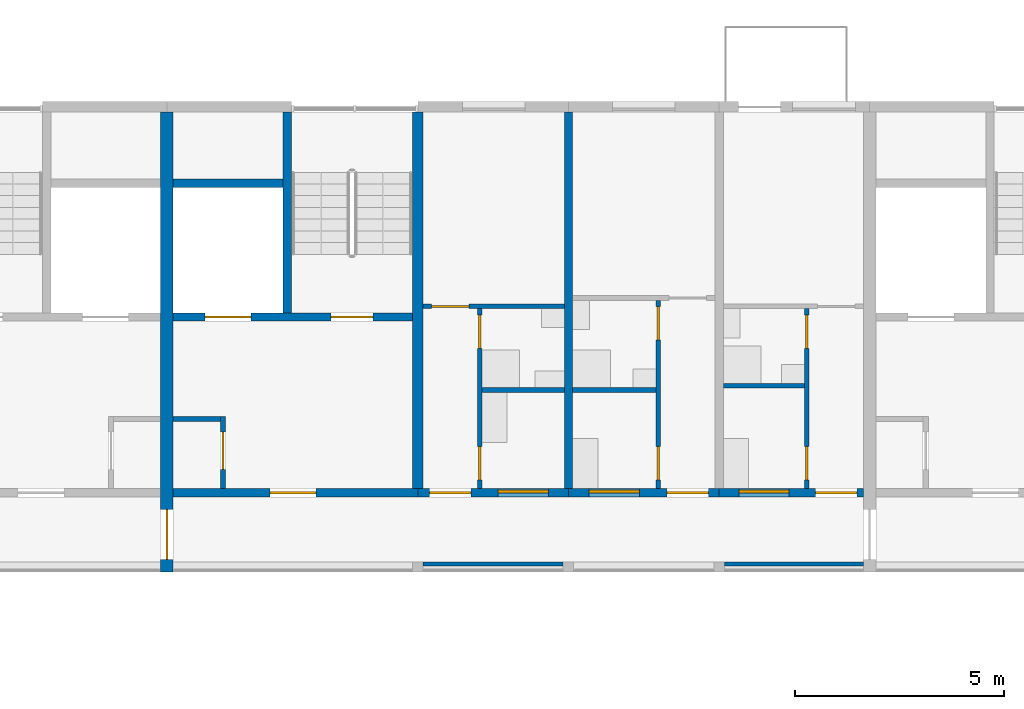
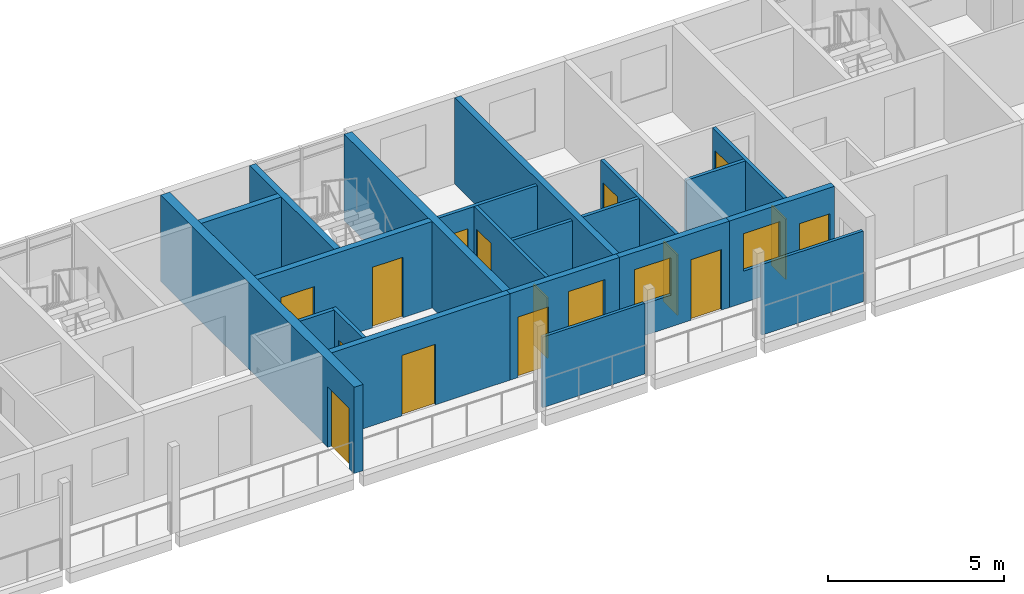
# One storey, part 51 of 93: 21 walls, 15 doors, 3 windows, 18 openings.
"""IFC4 building model written with IfcOpenShell, lengths in metres."""

from ifc_helpers import new_model, si_unit, direction, frame, frame_2d, origin, place, context, subcontext, project, spatial, rectangle, extrude, material, layer, layer_set, type_object, element, fill, save


model = new_model("IFC4")

# Units and contexts
model_context = context("Model", 3, precision=1e-05, world=origin(), true_north=direction((0.0, 1.0)))
body_context = subcontext(model_context, "Body", "Model", "MODEL_VIEW")
ifc_project = project(units=[si_unit("LENGTHUNIT", "METRE"), si_unit("AREAUNIT", "SQUARE_METRE"), si_unit("VOLUMEUNIT", "CUBIC_METRE"), si_unit("PLANEANGLEUNIT", "RADIAN"), si_unit("MASSUNIT", "GRAM", prefix="KILO")], contexts=[model_context])

# Site, building, storey
site_placement = place(None, origin())
site = spatial("IfcSite", under=ifc_project, at=site_placement, CompositionType="ELEMENT")
building_placement = place(site_placement, origin())
building = spatial("IfcBuilding", under=site, at=building_placement, Name="Ridgestep Commons", CompositionType="ELEMENT")
storey_placement = place(building_placement, frame((0.0, 0.0, 18.0)))
storey = spatial("IfcBuildingStorey", under=building, at=storey_placement, Name="L06", CompositionType="ELEMENT", Elevation=18.0)

# Wall
ifc_material_1 = material(Name="Concrete C30/37", Category="concrete")
ifc_layer_1 = layer(ifc_material_1, 0.25)
ifc_layer_set_1 = layer_set([ifc_layer_1], Name="Core cross wall 250")
wall_type_1 = type_object("IfcWallType", Name="Core cross wall 250", PredefinedType="SHEAR", material=ifc_layer_set_1)
wall_1_placement = place(storey_placement, frame((186.39990234375, 68.0, 0.0), z_axis=(0.0, 0.0, 1.0), x_axis=(0.0, 1.0, 0.0)))
element("IfcWall", 1, at=wall_1_placement, inside=storey, type_object=wall_type_1, Name="Cross wall C-06-1864", PredefinedType="SHEAR", context=body_context, shape_type="SweptSolid", body=[
    extrude(rectangle(XDim=9.0, YDim=0.25, at=frame_2d((4.5, 0.0))), origin(), (0.0, 0.0, 1.0), 3.0),
])

# Wall, opening, door
ifc_material_2 = material(Name="Concrete C30/37", Category="concrete")
ifc_layer_2 = layer(ifc_material_2, 0.199951171875)
ifc_layer_set_2 = layer_set([ifc_layer_2], Name="Core south wall 200")
wall_type_2 = type_object("IfcWallType", Name="Core south wall 200", PredefinedType="SHEAR", material=ifc_layer_set_2)
wall_2_placement = place(storey_placement, frame((180.550048828125, 67.89990234375, 0.0), z_axis=(0.0, 0.0, 1.0), x_axis=(1.0, 0.0, 0.0)))
wall_2 = element("IfcWall", 2, at=wall_2_placement, inside=storey, type_object=wall_type_2, Name="Core south wall C3C L06", PredefinedType="SHEAR", context=body_context, shape_type="SweptSolid", body=[
    extrude(rectangle(XDim=5.849853515625, YDim=0.199951171875, at=frame_2d((2.9248046875, 0.0))), origin(), (0.0, 0.0, 1.0), 3.0),
])
opening_1_placement = place(wall_2_placement, frame((2.3125, 0.0, 0.0)))
opening_1 = element("IfcOpeningElement", 3, at=opening_1_placement, cuts=wall_2, Name="Opening C3C/06/1", PredefinedType="OPENING", context=body_context, shape_type="SweptSolid", body=[
    extrude(rectangle(XDim=1.10009765625, YDim=2.10009765625, at=frame_2d((0.550048828125, 1.050048828125))), frame((0.0, 0.10986328125, 0.0), z_axis=(0.0, -1.0, 0.0), x_axis=(1.0, 0.0, 0.0)), (0.0, 0.0, 1.0), 0.219970703125),
])
ifc_material_3 = material(Name="Steel fire door", Category="steel")
door_type_1 = type_object("IfcDoorType", Name="Lobby door 1100 x 2100 FD60", OperationType="NOTDEFINED", PredefinedType="DOOR", material=ifc_material_3)
door_1_placement = place(opening_1_placement, origin())
door_1 = element("IfcDoor", 4, at=door_1_placement, inside=storey, type_object=door_type_1, Name="Lobby door C3C/06/1", OperationType="SINGLE_SWING_LEFT", OverallHeight=2.10009765625, OverallWidth=1.10009765625, PredefinedType="DOOR", context=body_context, shape_type="SweptSolid", body=[
    extrude(rectangle(XDim=1.10009765625, YDim=2.10009765625, at=frame_2d((0.550048828125, 1.050048828125))), frame((0.0, 0.02490234375, 0.0), z_axis=(0.0, -1.0, 0.0), x_axis=(1.0, 0.0, 0.0)), (0.0, 0.0, 1.0), 0.050048828125),
])
fill(opening_1, door_1)

ifc_material_4 = material(Name="Concrete C30/37", Category="concrete")
ifc_layer_3 = layer(ifc_material_4, 0.1201171875)
ifc_layer_set_3 = layer_set([ifc_layer_3], Name="Core wall 120")
wall_type_3 = type_object("IfcWallType", Name="Core wall 120", PredefinedType="SHEAR", material=ifc_layer_set_3)
wall_3_placement = place(storey_placement, frame((181.739990234375, 68.0, 0.0), z_axis=(0.0, 0.0, 1.0), x_axis=(0.0, 1.0, 0.0)))
wall_3 = element("IfcWall", 5, at=wall_3_placement, inside=storey, type_object=wall_type_3, Name="Core riser w wall C3C L06", PredefinedType="SHEAR", context=body_context, shape_type="SweptSolid", body=[
    extrude(rectangle(XDim=1.719970703125, YDim=0.1201171875, at=frame_2d((0.85986328125, 0.0))), origin(), (0.0, 0.0, 1.0), 3.0),
])
opening_2_placement = place(wall_3_placement, frame((0.449951171875, 0.0, 0.0)))
opening_2 = element("IfcOpeningElement", 6, at=opening_2_placement, cuts=wall_3, Name="Opening C3C/06/4", PredefinedType="OPENING", context=body_context, shape_type="SweptSolid", body=[
    extrude(rectangle(XDim=0.89990234375, YDim=2.10009765625, at=frame_2d((0.449951171875, 1.050048828125))), frame((0.0, 0.070068359375, 0.0), z_axis=(0.0, -1.0, 0.0), x_axis=(1.0, 0.0, 0.0)), (0.0, 0.0, 1.0), 0.14013671875),
])
ifc_material_5 = material(Name="Steel fire door", Category="steel")
door_type_2 = type_object("IfcDoorType", Name="Riser door 900 x 2100 FD60", OperationType="NOTDEFINED", PredefinedType="DOOR", material=ifc_material_5)
door_2_placement = place(opening_2_placement, origin())
door_2 = element("IfcDoor", 7, at=door_2_placement, inside=storey, type_object=door_type_2, Name="Riser door C3C/06/4", OperationType="SINGLE_SWING_RIGHT", OverallHeight=2.10009765625, OverallWidth=0.89990234375, PredefinedType="DOOR", context=body_context, shape_type="SweptSolid", body=[
    extrude(rectangle(XDim=0.89990234375, YDim=2.10009765625, at=frame_2d((0.449951171875, 1.050048828125))), frame((0.0, 0.02490234375, 0.0), z_axis=(0.0, -1.0, 0.0), x_axis=(1.0, 0.0, 0.0)), (0.0, 0.0, 1.0), 0.050048828125),
])
fill(opening_2, door_2)

# Wall
wall_4_placement = place(storey_placement, frame((180.550048828125, 69.659912109375, 0.0), z_axis=(0.0, 0.0, 1.0), x_axis=(1.0, 0.0, 0.0)))
element("IfcWall", 8, at=wall_4_placement, inside=storey, type_object=wall_type_3, Name="Core riser n wall C3C L06", PredefinedType="SHEAR", context=body_context, shape_type="SweptSolid", body=[
    extrude(rectangle(XDim=1.1298828125, YDim=0.1201171875, at=frame_2d((0.56494140625, 0.0))), origin(), (0.0, 0.0, 1.0), 3.0),
])

# Wall, openings, doors
ifc_material_6 = material(Name="Concrete C30/37", Category="concrete")
ifc_layer_4 = layer(ifc_material_6, 0.199951171875)
ifc_layer_set_4 = layer_set([ifc_layer_4], Name="Core wall 200")
wall_type_4 = type_object("IfcWallType", Name="Core wall 200", PredefinedType="SHEAR", material=ifc_layer_set_4)
wall_5_placement = place(storey_placement, frame((180.550048828125, 72.10009765625, 0.0), z_axis=(0.0, 0.0, 1.0), x_axis=(1.0, 0.0, 0.0)))
wall_5 = element("IfcWall", 9, at=wall_5_placement, inside=storey, type_object=wall_type_4, Name="Core lobby wall C3C L06", PredefinedType="SHEAR", context=body_context, shape_type="SweptSolid", body=[
    extrude(rectangle(XDim=5.724853515625, YDim=0.199951171875, at=frame_2d((2.8623046875, 0.0))), origin(), (0.0, 0.0, 1.0), 3.0),
])
opening_3_placement = place(wall_5_placement, frame((3.77490234375, 0.0, 0.0)))
opening_3 = element("IfcOpeningElement", 10, at=opening_3_placement, cuts=wall_5, Name="Opening C3C/06/2", PredefinedType="OPENING", context=body_context, shape_type="SweptSolid", body=[
    extrude(rectangle(XDim=1.0, YDim=2.10009765625, at=frame_2d((0.5, 1.050048828125))), frame((0.0, 0.10986328125, 0.0), z_axis=(0.0, -1.0, 0.0), x_axis=(1.0, 0.0, 0.0)), (0.0, 0.0, 1.0), 0.219970703125),
])
opening_4_placement = place(wall_5_placement, frame((0.762451171875, 0.0, 0.0)))
opening_4 = element("IfcOpeningElement", 11, at=opening_4_placement, cuts=wall_5, Name="Opening C3C/06/3", PredefinedType="OPENING", context=body_context, shape_type="SweptSolid", body=[
    extrude(rectangle(XDim=1.10009765625, YDim=2.10009765625, at=frame_2d((0.550048828125, 1.050048828125))), frame((0.0, 0.10986328125, 0.0), z_axis=(0.0, -1.0, 0.0), x_axis=(1.0, 0.0, 0.0)), (0.0, 0.0, 1.0), 0.219970703125),
])
ifc_material_7 = material(Name="Stainless steel", Category="steel")
door_type_3 = type_object("IfcDoorType", Name="Lift landing door 1100 x 2100 FD60", OperationType="DOUBLE_DOOR_SLIDING", PredefinedType="DOOR", material=ifc_material_7)
door_3_placement = place(opening_4_placement, origin())
door_3 = element("IfcDoor", 12, at=door_3_placement, inside=storey, type_object=door_type_3, Name="Landing door LD C3C L06", OperationType="DOUBLE_DOOR_SLIDING", OverallHeight=2.10009765625, OverallWidth=1.10009765625, PredefinedType="DOOR", context=body_context, shape_type="SweptSolid", body=[
    extrude(rectangle(XDim=1.10009765625, YDim=2.10009765625, at=frame_2d((0.550048828125, 1.050048828125))), frame((0.0, 0.02490234375, 0.0), z_axis=(0.0, -1.0, 0.0), x_axis=(1.0, 0.0, 0.0)), (0.0, 0.0, 1.0), 0.050048828125),
])
fill(opening_4, door_3)
ifc_material_8 = material(Name="Steel fire door", Category="steel")
door_type_4 = type_object("IfcDoorType", Name="Stair door 1000 x 2100 FD60", OperationType="NOTDEFINED", PredefinedType="DOOR", material=ifc_material_8)
door_4_placement = place(opening_3_placement, origin())
door_4 = element("IfcDoor", 13, at=door_4_placement, inside=storey, type_object=door_type_4, Name="Stair door C3C/06/2", OperationType="SINGLE_SWING_RIGHT", OverallHeight=2.10009765625, OverallWidth=1.0, PredefinedType="DOOR", context=body_context, shape_type="SweptSolid", body=[
    extrude(rectangle(XDim=1.0, YDim=2.10009765625, at=frame_2d((0.5, 1.050048828125))), frame((0.0, 0.02490234375, 0.0), z_axis=(0.0, -1.0, 0.0), x_axis=(1.0, 0.0, 0.0)), (0.0, 0.0, 1.0), 0.050048828125),
])
fill(opening_3, door_4)

# Walls
wall_6_placement = place(storey_placement, frame((183.27490234375, 72.199951171875, 0.0), z_axis=(0.0, 0.0, 1.0), x_axis=(0.0, 1.0, 0.0)))
element("IfcWall", 14, at=wall_6_placement, inside=storey, type_object=wall_type_4, Name="Core stair wall C3C L06", PredefinedType="SHEAR", context=body_context, shape_type="SweptSolid", body=[
    extrude(rectangle(XDim=4.800048828125, YDim=0.199951171875, at=frame_2d((2.39990234375, 0.0))), origin(), (0.0, 0.0, 1.0), 3.0),
])
wall_7_placement = place(storey_placement, frame((180.550048828125, 75.300048828125, 0.0), z_axis=(0.0, 0.0, 1.0), x_axis=(1.0, 0.0, 0.0)))
element("IfcWall", 15, at=wall_7_placement, inside=storey, type_object=wall_type_4, Name="Core duct wall C3C L06", PredefinedType="SHEAR", context=body_context, shape_type="SweptSolid", body=[
    extrude(rectangle(XDim=2.625, YDim=0.199951171875, at=frame_2d((1.3125, 0.0))), origin(), (0.0, 0.0, 1.0), 3.0),
])
ifc_material_9 = material(Name="Precast concrete C40/50", Category="concrete")
ifc_layer_5 = layer(ifc_material_9, 0.199951171875)
ifc_layer_set_5 = layer_set([ifc_layer_5], Name="Cross wall 200")
wall_type_5 = type_object("IfcWallType", Name="Cross wall 200", PredefinedType="SHEAR", material=ifc_layer_set_5)
wall_8_placement = place(storey_placement, frame((190.0, 68.0, 0.0), z_axis=(0.0, 0.0, 1.0), x_axis=(0.0, 1.0, 0.0)))
element("IfcWall", 16, at=wall_8_placement, inside=storey, type_object=wall_type_5, Name="Cross wall C-06-1900", PredefinedType="SHEAR", context=body_context, shape_type="SweptSolid", body=[
    extrude(rectangle(XDim=9.0, YDim=0.199951171875, at=frame_2d((4.5, 0.0))), origin(), (0.0, 0.0, 1.0), 3.0),
])

# Wall, opening, door
ifc_material_10 = material(Name="Precast concrete C40/50", Category="concrete")
ifc_layer_6 = layer(ifc_material_10, 0.300048828125)
ifc_layer_set_6 = layer_set([ifc_layer_6], Name="Division wall 300")
wall_type_6 = type_object("IfcWallType", Name="Division wall 300", PredefinedType="SHEAR", material=ifc_layer_set_6)
wall_9_placement = place(storey_placement, frame((180.39990234375, 66.0, 0.0), z_axis=(0.0, 0.0, 1.0), x_axis=(0.0, 1.0, 0.0)))
wall_9 = element("IfcWall", 17, at=wall_9_placement, inside=storey, type_object=wall_type_6, Name="Cross wall C-06-1804", PredefinedType="SHEAR", context=body_context, shape_type="SweptSolid", body=[
    extrude(rectangle(XDim=11.0, YDim=0.300048828125, at=frame_2d((5.5, 0.0))), origin(), (0.0, 0.0, 1.0), 3.0),
])
opening_5_placement = place(wall_9_placement, frame((0.300048828125, 0.0, 0.0)))
opening_5 = element("IfcOpeningElement", 18, at=opening_5_placement, cuts=wall_9, Name="Opening C/06/G1804", PredefinedType="OPENING", context=body_context, shape_type="SweptSolid", body=[
    extrude(rectangle(XDim=1.199951171875, YDim=2.10009765625, at=frame_2d((0.60009765625, 1.050048828125))), frame((0.0, 0.159912109375, 0.0), z_axis=(0.0, -1.0, 0.0), x_axis=(1.0, 0.0, 0.0)), (0.0, 0.0, 1.0), 0.320068359375),
])
ifc_material_11 = material(Name="Steel fire door", Category="steel")
door_type_5 = type_object("IfcDoorType", Name="Division fire door 1200 x 2100 EI 240", OperationType="DOUBLE_DOOR_SINGLE_SWING", PredefinedType="DOOR", material=ifc_material_11)
door_5_placement = place(opening_5_placement, origin())
door_5 = element("IfcDoor", 19, at=door_5_placement, inside=storey, type_object=door_type_5, Name="Division fire door C/06/G1804", OperationType="DOUBLE_DOOR_SINGLE_SWING", OverallHeight=2.10009765625, OverallWidth=1.199951171875, PredefinedType="DOOR", context=body_context, shape_type="SweptSolid", body=[
    extrude(rectangle(XDim=1.199951171875, YDim=2.10009765625, at=frame_2d((0.60009765625, 1.050048828125))), frame((0.0, 0.02490234375, 0.0), z_axis=(0.0, -1.0, 0.0), x_axis=(1.0, 0.0, 0.0)), (0.0, 0.0, 1.0), 0.050048828125),
])
fill(opening_5, door_5)

# Wall
ifc_material_12 = material(Name="Common brick 110 mm", Category="masonry")
ifc_layer_7 = layer(ifc_material_12, 0.110107421875)
ifc_layer_set_7 = layer_set([ifc_layer_7], Name="Partition 110")
wall_type_7 = type_object("IfcWallType", Name="Partition 110", PredefinedType="PARTITIONING", material=ifc_layer_set_7)
wall_10_placement = place(storey_placement, frame((193.699951171875, 70.455078125, 0.0), z_axis=(0.0, 0.0, 1.0), x_axis=(1.0, 0.0, 0.0)))
element("IfcWall", 20, at=wall_10_placement, inside=storey, type_object=wall_type_7, Name="Partition C3-06a", PredefinedType="PARTITIONING", context=body_context, shape_type="SweptSolid", body=[
    extrude(rectangle(XDim=1.93994140625, YDim=0.110107421875, at=frame_2d((0.969970703125, 0.0))), origin(), (0.0, 0.0, 1.0), 2.800048828125),
])

# Wall, openings, doors
wall_11_placement = place(storey_placement, frame((195.695068359375, 68.0, 0.0), z_axis=(0.0, 0.0, 1.0), x_axis=(0.0, 1.0, 0.0)))
wall_11 = element("IfcWall", 21, at=wall_11_placement, inside=storey, type_object=wall_type_7, Name="Partition C3-06a", PredefinedType="PARTITIONING", context=body_context, shape_type="SweptSolid", body=[
    extrude(rectangle(XDim=4.300048828125, YDim=0.110107421875, at=frame_2d((2.14990234375, 0.0))), origin(), (0.0, 0.0, 1.0), 2.800048828125),
])
opening_6_placement = place(wall_11_placement, frame((0.199951171875, 0.0, 0.0)))
opening_6 = element("IfcOpeningElement", 22, at=opening_6_placement, cuts=wall_11, Name="Opening C3-06a/2", PredefinedType="OPENING", context=body_context, shape_type="SweptSolid", body=[
    extrude(rectangle(XDim=0.800048828125, YDim=2.10009765625, at=frame_2d((0.39990234375, 1.050048828125))), frame((0.0, 0.06494140625, 0.0), z_axis=(0.0, -1.0, 0.0), x_axis=(1.0, 0.0, 0.0)), (0.0, 0.0, 1.0), 0.130126953125),
])
opening_7_placement = place(wall_11_placement, frame((3.35009765625, 0.0, 0.0)))
opening_7 = element("IfcOpeningElement", 23, at=opening_7_placement, cuts=wall_11, Name="Opening C3-06a/3", PredefinedType="OPENING", context=body_context, shape_type="SweptSolid", body=[
    extrude(rectangle(XDim=0.800048828125, YDim=2.10009765625, at=frame_2d((0.39990234375, 1.050048828125))), frame((0.0, 0.06494140625, 0.0), z_axis=(0.0, -1.0, 0.0), x_axis=(1.0, 0.0, 0.0)), (0.0, 0.0, 1.0), 0.130126953125),
])
ifc_material_13 = material(Name="Timber door leaf", Category="wood")
door_type_6 = type_object("IfcDoorType", Name="Internal door 800 x 2100", OperationType="NOTDEFINED", PredefinedType="DOOR", material=ifc_material_13)
door_6_placement = place(opening_6_placement, origin())
door_6 = element("IfcDoor", 24, at=door_6_placement, inside=storey, type_object=door_type_6, Name="Internal door C3-06a/2", OperationType="SINGLE_SWING_LEFT", OverallHeight=2.10009765625, OverallWidth=0.800048828125, PredefinedType="DOOR", context=body_context, shape_type="SweptSolid", body=[
    extrude(rectangle(XDim=0.800048828125, YDim=2.10009765625, at=frame_2d((0.39990234375, 1.050048828125))), frame((0.0, 0.02490234375, 0.0), z_axis=(0.0, -1.0, 0.0), x_axis=(1.0, 0.0, 0.0)), (0.0, 0.0, 1.0), 0.050048828125),
])
fill(opening_6, door_6)
door_7_placement = place(opening_7_placement, origin())
door_7 = element("IfcDoor", 25, at=door_7_placement, inside=storey, type_object=door_type_6, Name="Internal door C3-06a/3", OperationType="SINGLE_SWING_RIGHT", OverallHeight=2.10009765625, OverallWidth=0.800048828125, PredefinedType="DOOR", context=body_context, shape_type="SweptSolid", body=[
    extrude(rectangle(XDim=0.800048828125, YDim=2.10009765625, at=frame_2d((0.39990234375, 1.050048828125))), frame((0.0, 0.02490234375, 0.0), z_axis=(0.0, -1.0, 0.0), x_axis=(1.0, 0.0, 0.0)), (0.0, 0.0, 1.0), 0.050048828125),
])
fill(opening_7, door_7)

# Wall
wall_12_placement = place(storey_placement, frame((190.10009765625, 70.35498046875, 0.0), z_axis=(0.0, 0.0, 1.0), x_axis=(1.0, 0.0, 0.0)))
element("IfcWall", 26, at=wall_12_placement, inside=storey, type_object=wall_type_7, Name="Partition C3-06b", PredefinedType="PARTITIONING", context=body_context, shape_type="SweptSolid", body=[
    extrude(rectangle(XDim=1.989990234375, YDim=0.110107421875, at=frame_2d((0.9951171875, 0.0))), origin(), (0.0, 0.0, 1.0), 2.800048828125),
])

# Wall, openings, doors
wall_13_placement = place(storey_placement, frame((192.14501953125, 68.0, 0.0), z_axis=(0.0, 0.0, 1.0), x_axis=(0.0, 1.0, 0.0)))
wall_13 = element("IfcWall", 27, at=wall_13_placement, inside=storey, type_object=wall_type_7, Name="Partition C3-06b", PredefinedType="PARTITIONING", context=body_context, shape_type="SweptSolid", body=[
    extrude(rectangle(XDim=4.5, YDim=0.110107421875, at=frame_2d((2.25, 0.0))), origin(), (0.0, 0.0, 1.0), 2.800048828125),
])
opening_8_placement = place(wall_13_placement, frame((0.199951171875, 0.0, 0.0)))
opening_8 = element("IfcOpeningElement", 28, at=opening_8_placement, cuts=wall_13, Name="Opening C3-06b/2", PredefinedType="OPENING", context=body_context, shape_type="SweptSolid", body=[
    extrude(rectangle(XDim=0.800048828125, YDim=2.10009765625, at=frame_2d((0.39990234375, 1.050048828125))), frame((0.0, 0.06494140625, 0.0), z_axis=(0.0, -1.0, 0.0), x_axis=(1.0, 0.0, 0.0)), (0.0, 0.0, 1.0), 0.130126953125),
])
opening_9_placement = place(wall_13_placement, frame((3.550048828125, 0.0, 0.0)))
opening_9 = element("IfcOpeningElement", 29, at=opening_9_placement, cuts=wall_13, Name="Opening C3-06b/3", PredefinedType="OPENING", context=body_context, shape_type="SweptSolid", body=[
    extrude(rectangle(XDim=0.800048828125, YDim=2.10009765625, at=frame_2d((0.39990234375, 1.050048828125))), frame((0.0, 0.06494140625, 0.0), z_axis=(0.0, -1.0, 0.0), x_axis=(1.0, 0.0, 0.0)), (0.0, 0.0, 1.0), 0.130126953125),
])
door_8_placement = place(opening_8_placement, origin())
door_8 = element("IfcDoor", 30, at=door_8_placement, inside=storey, type_object=door_type_6, Name="Internal door C3-06b/2", OperationType="SINGLE_SWING_LEFT", OverallHeight=2.10009765625, OverallWidth=0.800048828125, PredefinedType="DOOR", context=body_context, shape_type="SweptSolid", body=[
    extrude(rectangle(XDim=0.800048828125, YDim=2.10009765625, at=frame_2d((0.39990234375, 1.050048828125))), frame((0.0, 0.02490234375, 0.0), z_axis=(0.0, -1.0, 0.0), x_axis=(1.0, 0.0, 0.0)), (0.0, 0.0, 1.0), 0.050048828125),
])
fill(opening_8, door_8)
door_9_placement = place(opening_9_placement, origin())
door_9 = element("IfcDoor", 31, at=door_9_placement, inside=storey, type_object=door_type_6, Name="Internal door C3-06b/3", OperationType="SINGLE_SWING_RIGHT", OverallHeight=2.10009765625, OverallWidth=0.800048828125, PredefinedType="DOOR", context=body_context, shape_type="SweptSolid", body=[
    extrude(rectangle(XDim=0.800048828125, YDim=2.10009765625, at=frame_2d((0.39990234375, 1.050048828125))), frame((0.0, 0.02490234375, 0.0), z_axis=(0.0, -1.0, 0.0), x_axis=(1.0, 0.0, 0.0)), (0.0, 0.0, 1.0), 0.050048828125),
])
fill(opening_9, door_9)

wall_14_placement = place(storey_placement, frame((187.8798828125, 68.0, 0.0), z_axis=(0.0, 0.0, 1.0), x_axis=(0.0, 1.0, 0.0)))
wall_14 = element("IfcWall", 32, at=wall_14_placement, inside=storey, type_object=wall_type_7, Name="Partition C3-06c", PredefinedType="PARTITIONING", context=body_context, shape_type="SweptSolid", body=[
    extrude(rectangle(XDim=4.300048828125, YDim=0.110107421875, at=frame_2d((2.14990234375, 0.0))), origin(), (0.0, 0.0, 1.0), 2.800048828125),
])
opening_10_placement = place(wall_14_placement, frame((0.199951171875, 0.0, 0.0)))
opening_10 = element("IfcOpeningElement", 33, at=opening_10_placement, cuts=wall_14, Name="Opening C3-06c/2", PredefinedType="OPENING", context=body_context, shape_type="SweptSolid", body=[
    extrude(rectangle(XDim=0.800048828125, YDim=2.10009765625, at=frame_2d((0.39990234375, 1.050048828125))), frame((0.0, 0.06494140625, 0.0), z_axis=(0.0, -1.0, 0.0), x_axis=(1.0, 0.0, 0.0)), (0.0, 0.0, 1.0), 0.130126953125),
])
opening_11_placement = place(wall_14_placement, frame((3.35009765625, 0.0, 0.0)))
opening_11 = element("IfcOpeningElement", 34, at=opening_11_placement, cuts=wall_14, Name="Opening C3-06c/3", PredefinedType="OPENING", context=body_context, shape_type="SweptSolid", body=[
    extrude(rectangle(XDim=0.800048828125, YDim=2.10009765625, at=frame_2d((0.39990234375, 1.050048828125))), frame((0.0, 0.06494140625, 0.0), z_axis=(0.0, -1.0, 0.0), x_axis=(1.0, 0.0, 0.0)), (0.0, 0.0, 1.0), 0.130126953125),
])
door_10_placement = place(opening_10_placement, origin())
door_10 = element("IfcDoor", 35, at=door_10_placement, inside=storey, type_object=door_type_6, Name="Internal door C3-06c/2", OperationType="SINGLE_SWING_RIGHT", OverallHeight=2.10009765625, OverallWidth=0.800048828125, PredefinedType="DOOR", context=body_context, shape_type="SweptSolid", body=[
    extrude(rectangle(XDim=0.800048828125, YDim=2.10009765625, at=frame_2d((0.39990234375, 1.050048828125))), frame((0.0, 0.02490234375, 0.0), z_axis=(0.0, -1.0, 0.0), x_axis=(1.0, 0.0, 0.0)), (0.0, 0.0, 1.0), 0.050048828125),
])
fill(opening_10, door_10)
door_11_placement = place(opening_11_placement, origin())
door_11 = element("IfcDoor", 36, at=door_11_placement, inside=storey, type_object=door_type_6, Name="Internal door C3-06c/3", OperationType="SINGLE_SWING_LEFT", OverallHeight=2.10009765625, OverallWidth=0.800048828125, PredefinedType="DOOR", context=body_context, shape_type="SweptSolid", body=[
    extrude(rectangle(XDim=0.800048828125, YDim=2.10009765625, at=frame_2d((0.39990234375, 1.050048828125))), frame((0.0, 0.02490234375, 0.0), z_axis=(0.0, -1.0, 0.0), x_axis=(1.0, 0.0, 0.0)), (0.0, 0.0, 1.0), 0.050048828125),
])
fill(opening_11, door_11)

# Wall
wall_15_placement = place(storey_placement, frame((187.93505859375, 70.35498046875, 0.0), z_axis=(0.0, 0.0, 1.0), x_axis=(1.0, 0.0, 0.0)))
element("IfcWall", 37, at=wall_15_placement, inside=storey, type_object=wall_type_7, Name="Partition C3-06c", PredefinedType="PARTITIONING", context=body_context, shape_type="SweptSolid", body=[
    extrude(rectangle(XDim=1.96484375, YDim=0.110107421875, at=frame_2d((0.982421875, 0.0))), origin(), (0.0, 0.0, 1.0), 2.800048828125),
])

# Wall, opening, door
wall_16_placement = place(storey_placement, frame((186.52490234375, 72.35498046875, 0.0), z_axis=(0.0, 0.0, 1.0), x_axis=(1.0, 0.0, 0.0)))
wall_16 = element("IfcWall", 38, at=wall_16_placement, inside=storey, type_object=wall_type_7, Name="Partition C3-06c", PredefinedType="PARTITIONING", context=body_context, shape_type="SweptSolid", body=[
    extrude(rectangle(XDim=3.375, YDim=0.110107421875, at=frame_2d((1.6875, 0.0))), origin(), (0.0, 0.0, 1.0), 2.800048828125),
])
opening_12_placement = place(wall_16_placement, frame((0.199951171875, 0.0, 0.0)))
opening_12 = element("IfcOpeningElement", 39, at=opening_12_placement, cuts=wall_16, Name="Opening C3-06c/4", PredefinedType="OPENING", context=body_context, shape_type="SweptSolid", body=[
    extrude(rectangle(XDim=0.89990234375, YDim=2.10009765625, at=frame_2d((0.449951171875, 1.050048828125))), frame((0.0, 0.06494140625, 0.0), z_axis=(0.0, -1.0, 0.0), x_axis=(1.0, 0.0, 0.0)), (0.0, 0.0, 1.0), 0.130126953125),
])
ifc_material_14 = material(Name="Timber door leaf", Category="wood")
door_type_7 = type_object("IfcDoorType", Name="Internal door 900 x 2100", OperationType="NOTDEFINED", PredefinedType="DOOR", material=ifc_material_14)
door_12_placement = place(opening_12_placement, origin())
door_12 = element("IfcDoor", 40, at=door_12_placement, inside=storey, type_object=door_type_7, Name="Internal door C3-06c/4", OperationType="SINGLE_SWING_LEFT", OverallHeight=2.10009765625, OverallWidth=0.89990234375, PredefinedType="DOOR", context=body_context, shape_type="SweptSolid", body=[
    extrude(rectangle(XDim=0.89990234375, YDim=2.10009765625, at=frame_2d((0.449951171875, 1.050048828125))), frame((0.0, 0.02490234375, 0.0), z_axis=(0.0, -1.0, 0.0), x_axis=(1.0, 0.0, 0.0)), (0.0, 0.0, 1.0), 0.050048828125),
])
fill(opening_12, door_12)

# Walls
ifc_material_15 = material(Name="Precast concrete C30/37", Category="concrete")
ifc_layer_8 = layer(ifc_material_15, 0.10009765625)
ifc_layer_set_8 = layer_set([ifc_layer_8], Name="Perforated gallery screen 3325 x 2450 x 100")
wall_type_8 = type_object("IfcWallType", Name="Perforated gallery screen 3325 x 2450 x 100", PredefinedType="SOLIDWALL", material=ifc_layer_set_8)
wall_17_placement = place(storey_placement, frame((193.72509765625, 66.199951171875, 0.0), z_axis=(0.0, 0.0, 1.0), x_axis=(1.0, 0.0, 0.0)))
element("IfcWall", 41, at=wall_17_placement, inside=storey, type_object=wall_type_8, Name="Gallery screen C3T1 06", PredefinedType="SOLIDWALL", context=body_context, shape_type="SweptSolid", body=[
    extrude(rectangle(XDim=3.324951171875, YDim=0.10009765625, at=frame_2d((1.66259765625, 0.0))), origin(), (0.0, 0.0, 1.0), 2.449951171875),
])
ifc_material_16 = material(Name="Precast concrete C30/37", Category="concrete")
ifc_layer_9 = layer(ifc_material_16, 0.10009765625)
ifc_layer_set_9 = layer_set([ifc_layer_9], Name="Perforated gallery screen 3350 x 2450 x 100")
wall_type_9 = type_object("IfcWallType", Name="Perforated gallery screen 3350 x 2450 x 100", PredefinedType="SOLIDWALL", material=ifc_layer_set_9)
wall_18_placement = place(storey_placement, frame((186.52490234375, 66.199951171875, 0.0), z_axis=(0.0, 0.0, 1.0), x_axis=(1.0, 0.0, 0.0)))
element("IfcWall", 42, at=wall_18_placement, inside=storey, type_object=wall_type_9, Name="Gallery screen C3T3 06", PredefinedType="SOLIDWALL", context=body_context, shape_type="SweptSolid", body=[
    extrude(rectangle(XDim=3.35009765625, YDim=0.10009765625, at=frame_2d((1.675048828125, 0.0))), origin(), (0.0, 0.0, 1.0), 2.449951171875),
])

# Wall, openings, door, window
ifc_material_17 = material(Name="Precast concrete C40/50", Category="concrete")
ifc_layer_10 = layer(ifc_material_17, 0.199951171875)
ifc_layer_set_10 = layer_set([ifc_layer_10], Name="South facade panel 200")
wall_type_10 = type_object("IfcWallType", Name="South facade panel 200", PredefinedType="SOLIDWALL", material=ifc_layer_set_10)
wall_19_placement = place(storey_placement, frame((186.39990234375, 67.89990234375, 0.0), z_axis=(0.0, 0.0, 1.0), x_axis=(1.0, 0.0, 0.0)))
wall_19 = element("IfcWall", 43, at=wall_19_placement, inside=storey, type_object=wall_type_10, Name="South panel C3T3 L06", PredefinedType="SOLIDWALL", context=body_context, shape_type="SweptSolid", body=[
    extrude(rectangle(XDim=3.60009765625, YDim=0.199951171875, at=frame_2d((1.800048828125, 0.0))), origin(), (0.0, 0.0, 1.0), 3.0),
])
opening_13_placement = place(wall_19_placement, frame((1.91748046875, 0.0, 1.10009765625)))
opening_13 = element("IfcOpeningElement", 44, at=opening_13_placement, cuts=wall_19, Name="Opening W08", PredefinedType="OPENING", context=body_context, shape_type="SweptSolid", body=[
    extrude(rectangle(XDim=1.199951171875, YDim=1.300048828125, at=frame_2d((0.60009765625, 0.64990234375))), frame((0.0, 0.10986328125, 0.0), z_axis=(0.0, -1.0, 0.0), x_axis=(1.0, 0.0, 0.0)), (0.0, 0.0, 1.0), 0.219970703125),
])
opening_14_placement = place(wall_19_placement, frame((0.27490234375, 0.0, 0.0)))
opening_14 = element("IfcOpeningElement", 45, at=opening_14_placement, cuts=wall_19, Name="Opening C3-06c/1", PredefinedType="OPENING", context=body_context, shape_type="SweptSolid", body=[
    extrude(rectangle(XDim=1.0, YDim=2.10009765625, at=frame_2d((0.5, 1.050048828125))), frame((0.0, 0.10986328125, 0.0), z_axis=(0.0, -1.0, 0.0), x_axis=(1.0, 0.0, 0.0)), (0.0, 0.0, 1.0), 0.219970703125),
])
ifc_material_18 = material(Name="Timber door leaf", Category="wood")
door_type_8 = type_object("IfcDoorType", Name="Flat entrance door 1000 x 2100 FD30S", OperationType="NOTDEFINED", PredefinedType="DOOR", material=ifc_material_18)
door_13_placement = place(opening_14_placement, origin())
door_13 = element("IfcDoor", 46, at=door_13_placement, inside=storey, type_object=door_type_8, Name="Flat entrance door C3-06c/1", OperationType="SINGLE_SWING_LEFT", OverallHeight=2.10009765625, OverallWidth=1.0, PredefinedType="DOOR", context=body_context, shape_type="SweptSolid", body=[
    extrude(rectangle(XDim=1.0, YDim=2.10009765625, at=frame_2d((0.5, 1.050048828125))), frame((0.0, 0.02490234375, 0.0), z_axis=(0.0, -1.0, 0.0), x_axis=(1.0, 0.0, 0.0)), (0.0, 0.0, 1.0), 0.050048828125),
])
fill(opening_14, door_13)
ifc_material_19 = material(Name="Aluminium 6063-T6 and glass", Category="aluminium")
window_type = type_object("IfcWindowType", Name="Flat window 1200 x 1300", PartitioningType="SINGLE_PANEL", PredefinedType="WINDOW", material=ifc_material_19)
window_1_placement = place(opening_13_placement, origin())
window_1 = element("IfcWindow", 47, at=window_1_placement, inside=storey, type_object=window_type, Name="Window C3-06c 1", OverallHeight=1.300048828125, OverallWidth=1.199951171875, PartitioningType="SINGLE_PANEL", PredefinedType="WINDOW", context=body_context, shape_type="SweptSolid", body=[
    extrude(rectangle(XDim=1.199951171875, YDim=1.300048828125, at=frame_2d((0.60009765625, 0.64990234375))), frame((0.0, 0.06005859375, 0.0), z_axis=(0.0, -1.0, 0.0), x_axis=(1.0, 0.0, 0.0)), (0.0, 0.0, 1.0), 0.06005859375),
])
fill(opening_13, window_1)

wall_20_placement = place(storey_placement, frame((190.0, 67.89990234375, 0.0), z_axis=(0.0, 0.0, 1.0), x_axis=(1.0, 0.0, 0.0)))
wall_20 = element("IfcWall", 48, at=wall_20_placement, inside=storey, type_object=wall_type_10, Name="South panel C3T2 L06", PredefinedType="SOLIDWALL", context=body_context, shape_type="SweptSolid", body=[
    extrude(rectangle(XDim=3.60009765625, YDim=0.199951171875, at=frame_2d((1.800048828125, 0.0))), origin(), (0.0, 0.0, 1.0), 3.0),
])
opening_15_placement = place(wall_20_placement, frame((0.4951171875, 0.0, 1.10009765625)))
opening_15 = element("IfcOpeningElement", 49, at=opening_15_placement, cuts=wall_20, Name="Opening W08", PredefinedType="OPENING", context=body_context, shape_type="SweptSolid", body=[
    extrude(rectangle(XDim=1.199951171875, YDim=1.300048828125, at=frame_2d((0.60009765625, 0.64990234375))), frame((0.0, 0.10986328125, 0.0), z_axis=(0.0, -1.0, 0.0), x_axis=(1.0, 0.0, 0.0)), (0.0, 0.0, 1.0), 0.219970703125),
])
opening_16_placement = place(wall_20_placement, frame((2.35009765625, 0.0, 0.0)))
opening_16 = element("IfcOpeningElement", 50, at=opening_16_placement, cuts=wall_20, Name="Opening C3-06b/1", PredefinedType="OPENING", context=body_context, shape_type="SweptSolid", body=[
    extrude(rectangle(XDim=1.0, YDim=2.10009765625, at=frame_2d((0.5, 1.050048828125))), frame((0.0, 0.10986328125, 0.0), z_axis=(0.0, -1.0, 0.0), x_axis=(1.0, 0.0, 0.0)), (0.0, 0.0, 1.0), 0.219970703125),
])
door_14_placement = place(opening_16_placement, origin())
door_14 = element("IfcDoor", 51, at=door_14_placement, inside=storey, type_object=door_type_8, Name="Flat entrance door C3-06b/1", OperationType="SINGLE_SWING_RIGHT", OverallHeight=2.10009765625, OverallWidth=1.0, PredefinedType="DOOR", context=body_context, shape_type="SweptSolid", body=[
    extrude(rectangle(XDim=1.0, YDim=2.10009765625, at=frame_2d((0.5, 1.050048828125))), frame((0.0, 0.02490234375, 0.0), z_axis=(0.0, -1.0, 0.0), x_axis=(1.0, 0.0, 0.0)), (0.0, 0.0, 1.0), 0.050048828125),
])
fill(opening_16, door_14)
window_2_placement = place(opening_15_placement, origin())
window_2 = element("IfcWindow", 52, at=window_2_placement, inside=storey, type_object=window_type, Name="Window C3-06b 1", OverallHeight=1.300048828125, OverallWidth=1.199951171875, PartitioningType="SINGLE_PANEL", PredefinedType="WINDOW", context=body_context, shape_type="SweptSolid", body=[
    extrude(rectangle(XDim=1.199951171875, YDim=1.300048828125, at=frame_2d((0.60009765625, 0.64990234375))), frame((0.0, 0.06005859375, 0.0), z_axis=(0.0, -1.0, 0.0), x_axis=(1.0, 0.0, 0.0)), (0.0, 0.0, 1.0), 0.06005859375),
])
fill(opening_15, window_2)

wall_21_placement = place(storey_placement, frame((193.60009765625, 67.89990234375, 0.0), z_axis=(0.0, 0.0, 1.0), x_axis=(1.0, 0.0, 0.0)))
wall_21 = element("IfcWall", 53, at=wall_21_placement, inside=storey, type_object=wall_type_10, Name="South panel C3T1 L06", PredefinedType="SOLIDWALL", context=body_context, shape_type="SweptSolid", body=[
    extrude(rectangle(XDim=3.449951171875, YDim=0.199951171875, at=frame_2d((1.72509765625, 0.0))), origin(), (0.0, 0.0, 1.0), 3.0),
])
opening_17_placement = place(wall_21_placement, frame((0.469970703125, 0.0, 1.10009765625)))
opening_17 = element("IfcOpeningElement", 54, at=opening_17_placement, cuts=wall_21, Name="Opening W08", PredefinedType="OPENING", context=body_context, shape_type="SweptSolid", body=[
    extrude(rectangle(XDim=1.199951171875, YDim=1.300048828125, at=frame_2d((0.60009765625, 0.64990234375))), frame((0.0, 0.10986328125, 0.0), z_axis=(0.0, -1.0, 0.0), x_axis=(1.0, 0.0, 0.0)), (0.0, 0.0, 1.0), 0.219970703125),
])
opening_18_placement = place(wall_21_placement, frame((2.300048828125, 0.0, 0.0)))
opening_18 = element("IfcOpeningElement", 55, at=opening_18_placement, cuts=wall_21, Name="Opening C3-06a/1", PredefinedType="OPENING", context=body_context, shape_type="SweptSolid", body=[
    extrude(rectangle(XDim=1.0, YDim=2.10009765625, at=frame_2d((0.5, 1.050048828125))), frame((0.0, 0.10986328125, 0.0), z_axis=(0.0, -1.0, 0.0), x_axis=(1.0, 0.0, 0.0)), (0.0, 0.0, 1.0), 0.219970703125),
])
door_15_placement = place(opening_18_placement, origin())
door_15 = element("IfcDoor", 56, at=door_15_placement, inside=storey, type_object=door_type_8, Name="Flat entrance door C3-06a/1", OperationType="SINGLE_SWING_RIGHT", OverallHeight=2.10009765625, OverallWidth=1.0, PredefinedType="DOOR", context=body_context, shape_type="SweptSolid", body=[
    extrude(rectangle(XDim=1.0, YDim=2.10009765625, at=frame_2d((0.5, 1.050048828125))), frame((0.0, 0.02490234375, 0.0), z_axis=(0.0, -1.0, 0.0), x_axis=(1.0, 0.0, 0.0)), (0.0, 0.0, 1.0), 0.050048828125),
])
fill(opening_18, door_15)
window_3_placement = place(opening_17_placement, origin())
window_3 = element("IfcWindow", 57, at=window_3_placement, inside=storey, type_object=window_type, Name="Window C3-06a 1", OverallHeight=1.300048828125, OverallWidth=1.199951171875, PartitioningType="SINGLE_PANEL", PredefinedType="WINDOW", context=body_context, shape_type="SweptSolid", body=[
    extrude(rectangle(XDim=1.199951171875, YDim=1.300048828125, at=frame_2d((0.60009765625, 0.64990234375))), frame((0.0, 0.06005859375, 0.0), z_axis=(0.0, -1.0, 0.0), x_axis=(1.0, 0.0, 0.0)), (0.0, 0.0, 1.0), 0.06005859375),
])
fill(opening_17, window_3)

save(model, "model.ifc")
